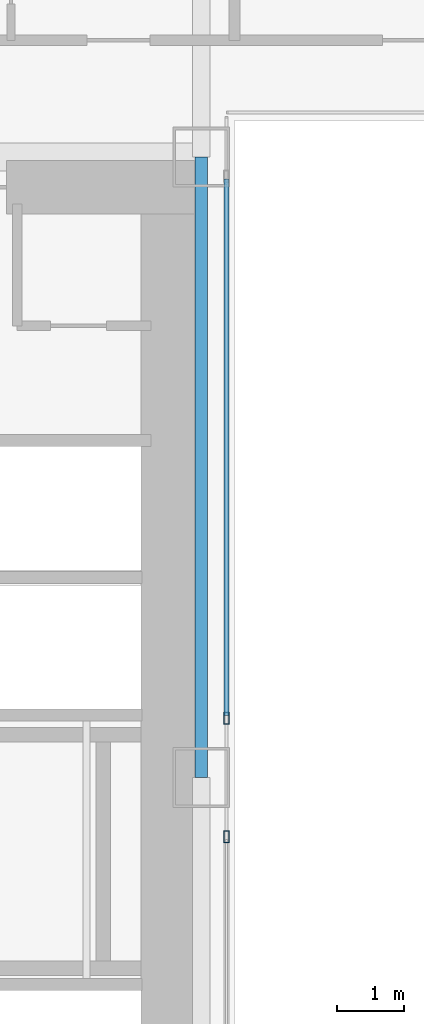
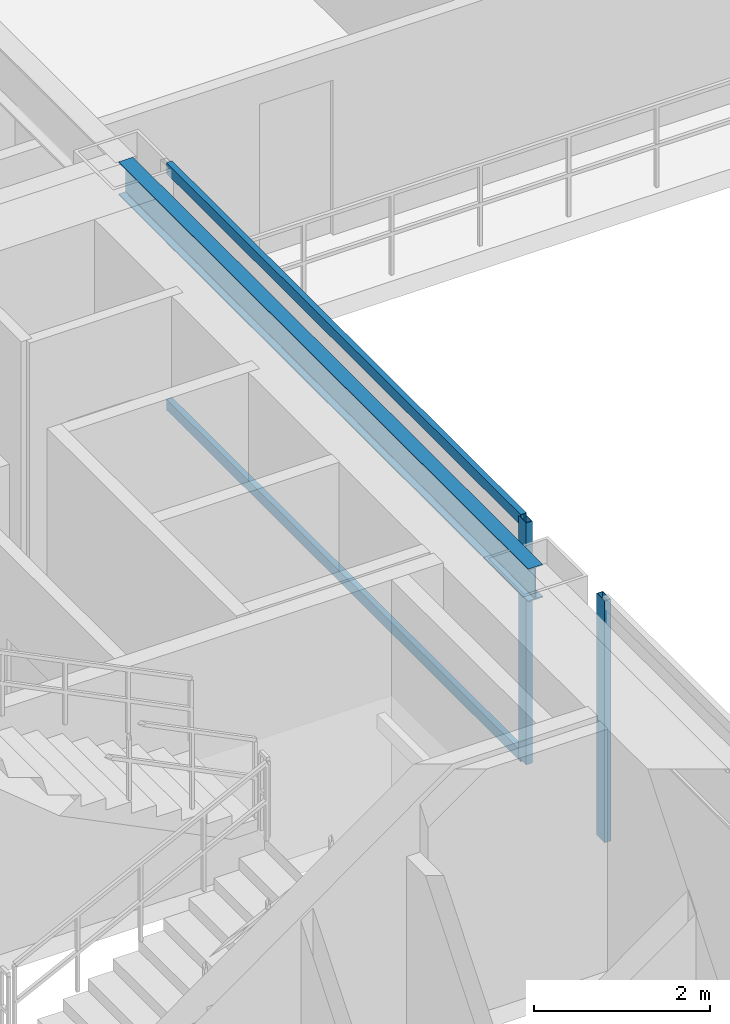
# One storey, part 10 of 41: 5 members, 1 beam, 2 elements without a shape of their own.
"""IFC4 building model written with IfcOpenShell, lengths in metres."""

from ifc_helpers import new_model, si_unit, direction, frame, origin, origin_2d, place, context, subcontext, project, spatial, hollow_rectangle, i_section, extrude, source, transform, mapped, material, layer, layer_set, material_profile, profile_set, type_object, element, aggregate, save


model = new_model("IFC4")

# Units and contexts
model_context = context("Model", 3, precision=1e-05, world=origin(), true_north=direction((0.0, 1.0)))
body_context = subcontext(model_context, "Body", "Model", "MODEL_VIEW")
ifc_project = project(units=[si_unit("LENGTHUNIT", "METRE"), si_unit("AREAUNIT", "SQUARE_METRE"), si_unit("VOLUMEUNIT", "CUBIC_METRE"), si_unit("PLANEANGLEUNIT", "RADIAN"), si_unit("MASSUNIT", "GRAM", prefix="KILO")], contexts=[model_context])

# Site, building, storey
site_placement = place(None, origin())
site = spatial("IfcSite", under=ifc_project, at=site_placement, CompositionType="ELEMENT")
building_placement = place(site_placement, origin())
building = spatial("IfcBuilding", under=site, at=building_placement, Name="Ocotamira Hotel", CompositionType="ELEMENT")
storey_placement = place(building_placement, frame((0.0, 0.0, 67.199951171875)))
storey = spatial("IfcBuildingStorey", under=building, at=storey_placement, Name="L16", CompositionType="ELEMENT", Elevation=67.199951171875)

# Beam
ifc_material_1 = material(Name="Steel ASTM A992 Grade 50", Category="steel")
ifc_material_profile_1 = material_profile(ifc_material_1, i_section(OverallWidth=0.18994140625, OverallDepth=0.45703125, WebThickness=0.009033203125, FlangeThickness=0.014404296875, FilletRadius=0.010009765625, at=origin_2d()), Name="W18X50")
ifc_profile_set_1 = profile_set([ifc_material_profile_1], Name="Steel ASTM A992 Grade 50")
beam_type = type_object("IfcBeamType", Name="BM-SEC-W18X50", PredefinedType="JOIST", material=ifc_profile_set_1)
shared_shape_1 = source(origin(), body_context, "Body", "SweptSolid", [
    extrude(i_section(OverallWidth=0.18994140625, OverallDepth=0.45703125, WebThickness=0.009033203125, FlangeThickness=0.014404296875, FilletRadius=0.010009765625, at=origin_2d()), origin(), (0.0, 0.0, 1.0), 9.300048828125),
])
beam_placement = place(storey_placement, frame((23.5, 28.14990234375, 3.12158203125), z_axis=(0.0, 1.0, 0.0), x_axis=(-1.0, 0.0, 0.0)))
element("IfcBeam", 1, at=beam_placement, inside=storey, type_object=beam_type, Name="L16 Beam X23.5 Y28.15-37.45", PredefinedType="JOIST", context=body_context, shape_type="MappedRepresentation", body=[
    mapped(shared_shape_1, transform((0.0, 0.0, 0.0), scale=1.0)),
])

# Curtain wall, member
ifc_material_2 = material(Name="Anodised pale-metal aluminium and solar glass", Category="aluminium")
ifc_layer = layer(ifc_material_2, 0.159912109375)
ifc_layer_set = layer_set([ifc_layer], Name="Anodised pale-metal aluminium and solar glass")
curtain_wall_type = type_object("IfcCurtainWallType", Name="CW-SYS6-ATR", PredefinedType="NOTDEFINED", material=ifc_layer_set)
curtain_wall_1_placement = place(storey_placement, origin())
curtain_wall_1 = element("IfcCurtainWall", 2, at=curtain_wall_1_placement, inside=storey, type_object=curtain_wall_type, Name="L16 Curtain Wall CW-6 CW-L16-ATRW1", PredefinedType="NOTDEFINED")
ifc_material_3 = material(Name="Anodised pale-metal aluminium 6063-T6", Category="aluminium")
ifc_material_profile_2 = material_profile(ifc_material_3, hollow_rectangle(XDim=0.080078125, YDim=0.179931640625, WallThickness=0.006103515625, at=origin_2d()), Name="HSS180X80X6")
ifc_profile_set_2 = profile_set([ifc_material_profile_2], Name="Anodised pale-metal aluminium 6063-T6")
member_type_1 = type_object("IfcMemberType", Name="CWM-180X75", PredefinedType="MULLION", material=ifc_profile_set_2)
shared_shape_2 = source(origin(), body_context, "Body", "SweptSolid", [
    extrude(hollow_rectangle(XDim=0.080078125, YDim=0.179931640625, WallThickness=0.006103515625, at=origin_2d()), origin(), (0.0, 0.0, 1.0), 3.35009765625),
])
member_1_placement = place(storey_placement, frame((23.8798828125, 27.260009765625, 0.0), z_axis=(0.0, 0.0, 1.0), x_axis=(-1.0, 0.0, 0.0)))
member_1 = element("IfcMember", 3, at=member_1_placement, type_object=member_type_1, Name="CW-6 mullion 3", PredefinedType="MULLION", context=body_context, shape_type="MappedRepresentation", body=[
    mapped(shared_shape_2, transform((0.0, 0.0, 0.0), scale=1.0)),
])
aggregate(curtain_wall_1, [member_1])

# Curtain wall, members
curtain_wall_2_placement = place(storey_placement, origin())
curtain_wall_2 = element("IfcCurtainWall", 4, at=curtain_wall_2_placement, inside=storey, type_object=curtain_wall_type, Name="L16 Curtain Wall CW-6 CW-L16-ATRW2", PredefinedType="NOTDEFINED")
member_2_placement = place(storey_placement, frame((23.8798828125, 29.0400390625, 0.0), z_axis=(0.0, 0.0, 1.0), x_axis=(-1.0, 0.0, 0.0)))
member_2 = element("IfcMember", 5, at=member_2_placement, type_object=member_type_1, Name="CW-6 mullion 1", PredefinedType="MULLION", context=body_context, shape_type="MappedRepresentation", body=[
    mapped(shared_shape_2, transform((0.0, 0.0, 0.0), scale=1.0)),
])
ifc_material_profile_3 = material_profile(ifc_material_3, hollow_rectangle(XDim=0.074951171875, YDim=0.14990234375, WallThickness=0.006103515625, at=origin_2d()), Name="HSS150X75X6")
ifc_profile_set_3 = profile_set([ifc_material_profile_3], Name="Anodised pale-metal aluminium 6063-T6")
member_type_2 = type_object("IfcMemberType", Name="CWT-150X75", PredefinedType="USERDEFINED", material=ifc_profile_set_3)
shared_shape_3 = source(origin(), body_context, "Body", "SweptSolid", [
    extrude(hollow_rectangle(XDim=0.074951171875, YDim=0.14990234375, WallThickness=0.006103515625, at=origin_2d()), origin(), (0.0, 0.0, 1.0), 8.0400390625),
])
member_3_placement = place(storey_placement, frame((23.8798828125, 29.080078125, 0.03759765625), z_axis=(0.0, 1.0, 0.0), x_axis=(-1.0, 0.0, 0.0)))
member_3 = element("IfcMember", 6, at=member_3_placement, type_object=member_type_2, Name="CW-6 transom 1.1", ObjectType="TRANSOM", PredefinedType="USERDEFINED", context=body_context, shape_type="MappedRepresentation", body=[
    mapped(shared_shape_3, transform((0.0, 0.0, 0.0), scale=1.0)),
])
member_4_placement = place(storey_placement, frame((23.8798828125, 29.080078125, 2.35009765625), z_axis=(0.0, 1.0, 0.0), x_axis=(-1.0, 0.0, 0.0)))
member_4 = element("IfcMember", 7, at=member_4_placement, type_object=member_type_2, Name="CW-6 transom 1.2", ObjectType="TRANSOM", PredefinedType="USERDEFINED", context=body_context, shape_type="MappedRepresentation", body=[
    mapped(shared_shape_3, transform((0.0, 0.0, 0.0), scale=1.0)),
])
member_5_placement = place(storey_placement, frame((23.8798828125, 29.080078125, 3.3125), z_axis=(0.0, 1.0, 0.0), x_axis=(-1.0, 0.0, 0.0)))
member_5 = element("IfcMember", 8, at=member_5_placement, type_object=member_type_2, Name="CW-6 transom 1.3", ObjectType="TRANSOM", PredefinedType="USERDEFINED", context=body_context, shape_type="MappedRepresentation", body=[
    mapped(shared_shape_3, transform((0.0, 0.0, 0.0), scale=1.0)),
])
aggregate(curtain_wall_2, [member_2, member_3, member_4, member_5])

save(model, "model.ifc")
